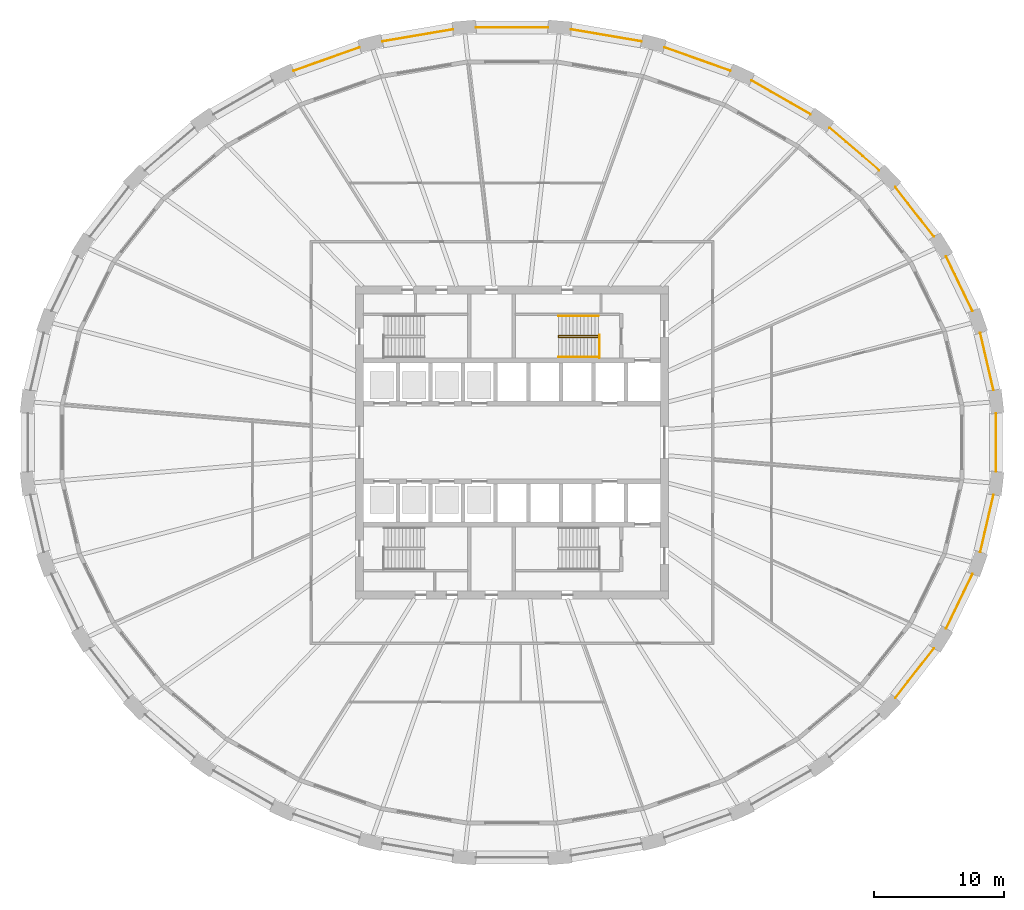
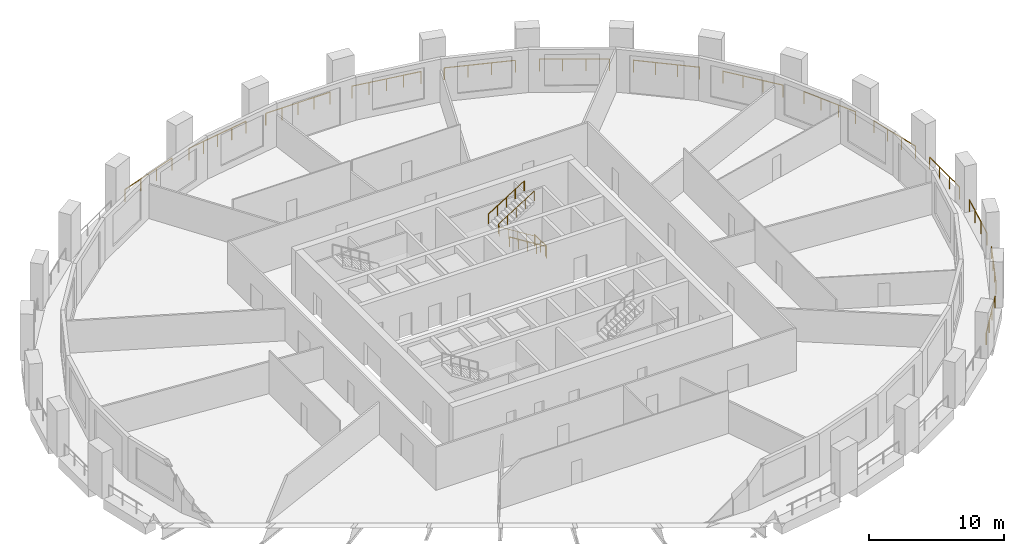
# One storey, part 9 of 10: 18 railings.
"""IFC4 building model written with IfcOpenShell, lengths in metres."""

from ifc_helpers import new_model, si_unit, direction, frame, origin, origin_2d, place, context, subcontext, project, spatial, circle, extrude, material, type_object, element, save


model = new_model("IFC4")

# Units and contexts
model_context = context("Model", 3, precision=1e-05, world=origin(), true_north=direction((0.0, 1.0)))
body_context = subcontext(model_context, "Body", "Model", "MODEL_VIEW")
ifc_project = project(units=[si_unit("LENGTHUNIT", "METRE"), si_unit("AREAUNIT", "SQUARE_METRE"), si_unit("VOLUMEUNIT", "CUBIC_METRE"), si_unit("PLANEANGLEUNIT", "RADIAN"), si_unit("MASSUNIT", "GRAM", prefix="KILO")], contexts=[model_context])

# Site, building, storey
site_placement = place(None, origin())
site = spatial("IfcSite", under=ifc_project, at=site_placement, CompositionType="ELEMENT")
building_placement = place(site_placement, origin())
building = spatial("IfcBuilding", under=site, at=building_placement, Name="Halqa Exchange Tower", CompositionType="ELEMENT")
storey_placement = place(building_placement, frame((0.0, 0.0, 48.699951171875)))
storey = spatial("IfcBuildingStorey", under=building, at=storey_placement, Name="L10", CompositionType="ELEMENT", Elevation=48.699951171875)

# Railings
ifc_material = material(Name="Stainless steel", Category="steel")
railing_type_1 = type_object("IfcRailingType", Name="Guard 1100 stainless steel", PredefinedType="GUARDRAIL", material=ifc_material)
railing_1_placement = place(storey_placement, frame((36.9326171875, 4.01171875, 0.0)))
element("IfcRailing", 1, at=railing_1_placement, inside=storey, type_object=railing_type_1, Name="Loggia guard 1", PredefinedType="GUARDRAIL", context=body_context, shape_type="SweptSolid", body=[
    extrude(circle(Radius=0.02392578125, at=origin_2d()), frame((0.0, 0.0, 1.076171875), z_axis=(-0.226056381748, 0.974114219315, 0.0), x_axis=(-0.974114219315, -0.226056381748, 0.0)), (0.0, 0.0, 1.0), 4.513427734375),
    extrude(circle(Radius=0.02099609375, at=origin_2d()), origin(), (0.0, 0.0, 1.0), 1.052001953125),
    extrude(circle(Radius=0.02099609375, at=origin_2d()), frame((-0.340087890625, 1.465576171875, 0.0)), (0.0, 0.0, 1.0), 1.052001953125),
    extrude(circle(Radius=0.02099609375, at=origin_2d()), frame((-0.68017578125, 2.930908203125, 0.0)), (0.0, 0.0, 1.0), 1.052001953125),
    extrude(circle(Radius=0.02099609375, at=origin_2d()), frame((-1.020263671875, 4.396484375, 0.0)), (0.0, 0.0, 1.0), 1.052001953125),
])
railing_2_placement = place(storey_placement, frame((35.3173828125, 10.09521484375, 0.0)))
element("IfcRailing", 2, at=railing_2_placement, inside=storey, type_object=railing_type_1, Name="Loggia guard 2", PredefinedType="GUARDRAIL", context=body_context, shape_type="SweptSolid", body=[
    extrude(circle(Radius=0.02392578125, at=origin_2d()), frame((0.0, 0.0, 1.076171875), z_axis=(-0.435096763468, 0.900383699552, 0.0), x_axis=(-0.900383699552, -0.435096763468, 0.0)), (0.0, 0.0, 1.0), 4.6337890625),
    extrude(circle(Radius=0.02099609375, at=origin_2d()), origin(), (0.0, 0.0, 1.0), 1.052001953125),
    extrude(circle(Radius=0.02099609375, at=origin_2d()), frame((-0.672119140625, 1.390625, 0.0)), (0.0, 0.0, 1.0), 1.052001953125),
    extrude(circle(Radius=0.02099609375, at=origin_2d()), frame((-1.343994140625, 2.781494140625, 0.0)), (0.0, 0.0, 1.0), 1.052001953125),
    extrude(circle(Radius=0.02099609375, at=origin_2d()), frame((-2.01611328125, 4.172119140625, 0.0)), (0.0, 0.0, 1.0), 1.052001953125),
])
railing_3_placement = place(storey_placement, frame((32.356201171875, 15.787353515625, 0.0)))
element("IfcRailing", 3, at=railing_3_placement, inside=storey, type_object=railing_type_1, Name="Loggia guard 3", PredefinedType="GUARDRAIL", context=body_context, shape_type="SweptSolid", body=[
    extrude(circle(Radius=0.02392578125, at=origin_2d()), frame((0.0, 0.0, 1.076171875), z_axis=(-0.61480458382, 0.788679480977, 0.0), x_axis=(-0.788679480977, -0.61480458382, 0.0)), (0.0, 0.0, 1.0), 4.810546875),
    extrude(circle(Radius=0.02099609375, at=origin_2d()), origin(), (0.0, 0.0, 1.0), 1.052001953125),
    extrude(circle(Radius=0.02099609375, at=origin_2d()), frame((-0.98583984375, 1.2646484375, 0.0)), (0.0, 0.0, 1.0), 1.052001953125),
    extrude(circle(Radius=0.02099609375, at=origin_2d()), frame((-1.9716796875, 2.529296875, 0.0)), (0.0, 0.0, 1.0), 1.052001953125),
    extrude(circle(Radius=0.02099609375, at=origin_2d()), frame((-2.95751953125, 3.7939453125, 0.0)), (0.0, 0.0, 1.0), 1.052001953125),
])
railing_4_placement = place(storey_placement, frame((28.162109375, 20.876708984375, 0.0)))
element("IfcRailing", 4, at=railing_4_placement, inside=storey, type_object=railing_type_1, Name="Loggia guard 4", PredefinedType="GUARDRAIL", context=body_context, shape_type="SweptSolid", body=[
    extrude(circle(Radius=0.02392578125, at=origin_2d()), frame((0.0, 0.0, 1.076171875), z_axis=(-0.759256602365, 0.650791373456, 0.0), x_axis=(-0.650791373456, -0.759256602365, 0.0)), (0.0, 0.0, 1.0), 5.0126953125),
    extrude(circle(Radius=0.02099609375, at=origin_2d()), origin(), (0.0, 0.0, 1.0), 1.052001953125),
    extrude(circle(Radius=0.02099609375, at=origin_2d()), frame((-1.2685546875, 1.08740234375, 0.0)), (0.0, 0.0, 1.0), 1.052001953125),
    extrude(circle(Radius=0.02099609375, at=origin_2d()), frame((-2.537353515625, 2.1748046875, 0.0)), (0.0, 0.0, 1.0), 1.052001953125),
    extrude(circle(Radius=0.02099609375, at=origin_2d()), frame((-3.805908203125, 3.26220703125, 0.0)), (0.0, 0.0, 1.0), 1.052001953125),
])
railing_5_placement = place(storey_placement, frame((22.891845703125, 25.172119140625, 0.0)))
element("IfcRailing", 5, at=railing_5_placement, inside=storey, type_object=railing_type_1, Name="Loggia guard 5", PredefinedType="GUARDRAIL", context=body_context, shape_type="SweptSolid", body=[
    extrude(circle(Radius=0.02392578125, at=origin_2d()), frame((0.0, 0.0, 1.076171875), z_axis=(-0.867758186628, 0.496986649258, 0.0), x_axis=(-0.496986649258, -0.867758186628, 0.0)), (0.0, 0.0, 1.0), 5.209228515625),
    extrude(circle(Radius=0.02099609375, at=origin_2d()), origin(), (0.0, 0.0, 1.0), 1.052001953125),
    extrude(circle(Radius=0.02099609375, at=origin_2d()), frame((-1.5068359375, 0.863037109375, 0.0)), (0.0, 0.0, 1.0), 1.052001953125),
    extrude(circle(Radius=0.02099609375, at=origin_2d()), frame((-3.013427734375, 1.725830078125, 0.0)), (0.0, 0.0, 1.0), 1.052001953125),
    extrude(circle(Radius=0.02099609375, at=origin_2d()), frame((-4.520263671875, 2.5888671875, 0.0)), (0.0, 0.0, 1.0), 1.052001953125),
])
railing_6_placement = place(storey_placement, frame((16.742431640625, 28.509521484375, 0.0)))
element("IfcRailing", 6, at=railing_6_placement, inside=storey, type_object=railing_type_1, Name="Loggia guard 6", PredefinedType="GUARDRAIL", context=body_context, shape_type="SweptSolid", body=[
    extrude(circle(Radius=0.02392578125, at=origin_2d()), frame((0.0, 0.0, 1.076171875), z_axis=(-0.942373671262, 0.334562197075, 0.0), x_axis=(-0.334562197075, -0.942373671262, 0.0)), (0.0, 0.0, 1.0), 5.37158203125),
    extrude(circle(Radius=0.02099609375, at=origin_2d()), origin(), (0.0, 0.0, 1.0), 1.052001953125),
    extrude(circle(Radius=0.02099609375, at=origin_2d()), frame((-1.687255859375, 0.59912109375, 0.0)), (0.0, 0.0, 1.0), 1.052001953125),
    extrude(circle(Radius=0.02099609375, at=origin_2d()), frame((-3.374755859375, 1.197998046875, 0.0)), (0.0, 0.0, 1.0), 1.052001953125),
    extrude(circle(Radius=0.02099609375, at=origin_2d()), frame((-5.06201171875, 1.797119140625, 0.0)), (0.0, 0.0, 1.0), 1.052001953125),
])
railing_7_placement = place(storey_placement, frame((9.945068359375, 30.759033203125, 0.0)))
element("IfcRailing", 7, at=railing_7_placement, inside=storey, type_object=railing_type_1, Name="Loggia guard 7", PredefinedType="GUARDRAIL", context=body_context, shape_type="SweptSolid", body=[
    extrude(circle(Radius=0.02392578125, at=origin_2d()), frame((0.0, 0.0, 1.076171875), z_axis=(-0.985776430596, 0.168061979284, 0.0), x_axis=(-0.168061979284, -0.985776430596, 0.0)), (0.0, 0.0, 1.0), 5.47802734375),
    extrude(circle(Radius=0.02099609375, at=origin_2d()), origin(), (0.0, 0.0, 1.0), 1.052001953125),
    extrude(circle(Radius=0.02099609375, at=origin_2d()), frame((-1.35009765625, 0.230224609375, 0.0)), (0.0, 0.0, 1.0), 1.052001953125),
    extrude(circle(Radius=0.02099609375, at=origin_2d()), frame((-2.7001953125, 0.46044921875, 0.0)), (0.0, 0.0, 1.0), 1.052001953125),
    extrude(circle(Radius=0.02099609375, at=origin_2d()), frame((-4.050048828125, 0.6904296875, 0.0)), (0.0, 0.0, 1.0), 1.052001953125),
    extrude(circle(Radius=0.02099609375, at=origin_2d()), frame((-5.400146484375, 0.920654296875, 0.0)), (0.0, 0.0, 1.0), 1.052001953125),
])
railing_8_placement = place(storey_placement, frame((2.757568359375, 31.8310546875, 0.0)))
element("IfcRailing", 8, at=railing_8_placement, inside=storey, type_object=railing_type_1, Name="Loggia guard 8", PredefinedType="GUARDRAIL", context=body_context, shape_type="SweptSolid", body=[
    extrude(circle(Radius=0.02392578125, at=origin_2d()), frame((0.0, 0.0, 1.076171875), z_axis=(-1.0, 0.0, 0.0), x_axis=(0.0, -1.0, 0.0)), (0.0, 0.0, 1.0), 5.51513671875),
    extrude(circle(Radius=0.02099609375, at=origin_2d()), origin(), (0.0, 0.0, 1.0), 1.052001953125),
    extrude(circle(Radius=0.02099609375, at=origin_2d()), frame((-1.37890625, 0.0, 0.0)), (0.0, 0.0, 1.0), 1.052001953125),
    extrude(circle(Radius=0.02099609375, at=origin_2d()), frame((-2.757568359375, 0.0, 0.0)), (0.0, 0.0, 1.0), 1.052001953125),
    extrude(circle(Radius=0.02099609375, at=origin_2d()), frame((-4.13623046875, 0.0, 0.0)), (0.0, 0.0, 1.0), 1.052001953125),
    extrude(circle(Radius=0.02099609375, at=origin_2d()), frame((-5.51513671875, 0.0, 0.0)), (0.0, 0.0, 1.0), 1.052001953125),
])
railing_9_placement = place(storey_placement, frame((-4.544921875, 31.6796875, 0.0)))
element("IfcRailing", 9, at=railing_9_placement, inside=storey, type_object=railing_type_1, Name="Loggia guard 9", PredefinedType="GUARDRAIL", context=body_context, shape_type="SweptSolid", body=[
    extrude(circle(Radius=0.02392578125, at=origin_2d()), frame((0.0, 0.0, 1.076171875), z_axis=(-0.985776430596, -0.168061979284, 0.0), x_axis=(0.168061979284, -0.985776430596, 0.0)), (0.0, 0.0, 1.0), 5.47802734375),
    extrude(circle(Radius=0.02099609375, at=origin_2d()), origin(), (0.0, 0.0, 1.0), 1.052001953125),
    extrude(circle(Radius=0.02099609375, at=origin_2d()), frame((-1.35009765625, -0.230224609375, 0.0)), (0.0, 0.0, 1.0), 1.052001953125),
    extrude(circle(Radius=0.02099609375, at=origin_2d()), frame((-2.7001953125, -0.46044921875, 0.0)), (0.0, 0.0, 1.0), 1.052001953125),
    extrude(circle(Radius=0.02099609375, at=origin_2d()), frame((-4.050048828125, -0.6904296875, 0.0)), (0.0, 0.0, 1.0), 1.052001953125),
    extrude(circle(Radius=0.02099609375, at=origin_2d()), frame((-5.400146484375, -0.920654296875, 0.0)), (0.0, 0.0, 1.0), 1.052001953125),
])
railing_10_placement = place(storey_placement, frame((-11.680419921875, 30.306640625, 0.0)))
element("IfcRailing", 10, at=railing_10_placement, inside=storey, type_object=railing_type_1, Name="Loggia guard 10", PredefinedType="GUARDRAIL", context=body_context, shape_type="SweptSolid", body=[
    extrude(circle(Radius=0.02392578125, at=origin_2d()), frame((0.0, 0.0, 1.076171875), z_axis=(-0.942373671262, -0.334562197075, 0.0), x_axis=(0.334562197075, -0.942373671262, 0.0)), (0.0, 0.0, 1.0), 5.37158203125),
    extrude(circle(Radius=0.02099609375, at=origin_2d()), origin(), (0.0, 0.0, 1.0), 1.052001953125),
    extrude(circle(Radius=0.02099609375, at=origin_2d()), frame((-1.687255859375, -0.59912109375, 0.0)), (0.0, 0.0, 1.0), 1.052001953125),
    extrude(circle(Radius=0.02099609375, at=origin_2d()), frame((-3.374755859375, -1.197998046875, 0.0)), (0.0, 0.0, 1.0), 1.052001953125),
    extrude(circle(Radius=0.02099609375, at=origin_2d()), frame((-5.06201171875, -1.797119140625, 0.0)), (0.0, 0.0, 1.0), 1.052001953125),
])
railing_11_placement = place(storey_placement, frame((29.398681640625, -19.581298828125, 0.0)))
element("IfcRailing", 11, at=railing_11_placement, inside=storey, type_object=railing_type_1, Name="Loggia guard 29", PredefinedType="GUARDRAIL", context=body_context, shape_type="SweptSolid", body=[
    extrude(circle(Radius=0.02392578125, at=origin_2d()), frame((0.0, 0.0, 1.076171875), z_axis=(0.61480458382, 0.788679480977, 0.0), x_axis=(-0.788679480977, 0.61480458382, 0.0)), (0.0, 0.0, 1.0), 4.810546875),
    extrude(circle(Radius=0.02099609375, at=origin_2d()), origin(), (0.0, 0.0, 1.0), 1.052001953125),
    extrude(circle(Radius=0.02099609375, at=origin_2d()), frame((0.98583984375, 1.2646484375, 0.0)), (0.0, 0.0, 1.0), 1.052001953125),
    extrude(circle(Radius=0.02099609375, at=origin_2d()), frame((1.9716796875, 2.529296875, 0.0)), (0.0, 0.0, 1.0), 1.052001953125),
    extrude(circle(Radius=0.02099609375, at=origin_2d()), frame((2.95751953125, 3.7939453125, 0.0)), (0.0, 0.0, 1.0), 1.052001953125),
])
railing_12_placement = place(storey_placement, frame((33.30126953125, -14.267333984375, 0.0)))
element("IfcRailing", 12, at=railing_12_placement, inside=storey, type_object=railing_type_1, Name="Loggia guard 30", PredefinedType="GUARDRAIL", context=body_context, shape_type="SweptSolid", body=[
    extrude(circle(Radius=0.02392578125, at=origin_2d()), frame((0.0, 0.0, 1.076171875), z_axis=(0.435096763468, 0.900383699552, 0.0), x_axis=(-0.900383699552, 0.435096763468, 0.0)), (0.0, 0.0, 1.0), 4.6337890625),
    extrude(circle(Radius=0.02099609375, at=origin_2d()), origin(), (0.0, 0.0, 1.0), 1.052001953125),
    extrude(circle(Radius=0.02099609375, at=origin_2d()), frame((0.672119140625, 1.390625, 0.0)), (0.0, 0.0, 1.0), 1.052001953125),
    extrude(circle(Radius=0.02099609375, at=origin_2d()), frame((1.343994140625, 2.781494140625, 0.0)), (0.0, 0.0, 1.0), 1.052001953125),
    extrude(circle(Radius=0.02099609375, at=origin_2d()), frame((2.01611328125, 4.172119140625, 0.0)), (0.0, 0.0, 1.0), 1.052001953125),
])
railing_13_placement = place(storey_placement, frame((35.912353515625, -8.408203125, 0.0)))
element("IfcRailing", 13, at=railing_13_placement, inside=storey, type_object=railing_type_1, Name="Loggia guard 31", PredefinedType="GUARDRAIL", context=body_context, shape_type="SweptSolid", body=[
    extrude(circle(Radius=0.02392578125, at=origin_2d()), frame((0.0, 0.0, 1.076171875), z_axis=(0.226056381748, 0.974114219315, 0.0), x_axis=(-0.974114219315, 0.226056381748, 0.0)), (0.0, 0.0, 1.0), 4.513427734375),
    extrude(circle(Radius=0.02099609375, at=origin_2d()), origin(), (0.0, 0.0, 1.0), 1.052001953125),
    extrude(circle(Radius=0.02099609375, at=origin_2d()), frame((0.340087890625, 1.465576171875, 0.0)), (0.0, 0.0, 1.0), 1.052001953125),
    extrude(circle(Radius=0.02099609375, at=origin_2d()), frame((0.68017578125, 2.930908203125, 0.0)), (0.0, 0.0, 1.0), 1.052001953125),
    extrude(circle(Radius=0.02099609375, at=origin_2d()), frame((1.020263671875, 4.396484375, 0.0)), (0.0, 0.0, 1.0), 1.052001953125),
])
railing_14_placement = place(storey_placement, frame((37.135986328125, -2.235107421875, 0.0)))
element("IfcRailing", 14, at=railing_14_placement, inside=storey, type_object=railing_type_1, Name="Loggia guard 32", PredefinedType="GUARDRAIL", context=body_context, shape_type="SweptSolid", body=[
    extrude(circle(Radius=0.02392578125, at=origin_2d()), frame((0.0, 0.0, 1.076171875), z_axis=(0.0, 1.0, 0.0), x_axis=(-1.0, 0.0, 0.0)), (0.0, 0.0, 1.0), 4.47021484375),
    extrude(circle(Radius=0.02099609375, at=origin_2d()), origin(), (0.0, 0.0, 1.0), 1.052001953125),
    extrude(circle(Radius=0.02099609375, at=origin_2d()), frame((0.0, 1.489990234375, 0.0)), (0.0, 0.0, 1.0), 1.052001953125),
    extrude(circle(Radius=0.02099609375, at=origin_2d()), frame((0.0, 2.980224609375, 0.0)), (0.0, 0.0, 1.0), 1.052001953125),
    extrude(circle(Radius=0.02099609375, at=origin_2d()), frame((0.0, 4.47021484375, 0.0)), (0.0, 0.0, 1.0), 1.052001953125),
])
railing_type_2 = type_object("IfcRailingType", Name="Stair handrail 900", PredefinedType="HANDRAIL", material=ifc_material)
railing_15_placement = place(storey_placement, frame((6.64990234375, 8.06005859375, 0.175048828125)))
element("IfcRailing", 15, at=railing_15_placement, inside=storey, type_object=railing_type_2, Name="Handrail ST2.1", PredefinedType="HANDRAIL", context=body_context, shape_type="SweptSolid", body=[
    extrude(circle(Radius=0.02392578125, at=origin_2d()), frame((0.0, 0.0, 0.8759765625), z_axis=(-0.847979421464, 0.0, 0.530029150871), x_axis=(0.0, -1.0, 0.0)), (0.0, 0.0, 1.0), 3.632080078125),
    extrude(circle(Radius=0.02392578125, at=origin_2d()), frame((-3.079833984375, 0.0, 2.80078125), z_axis=(0.0, 0.595870227118, 0.803080738428), x_axis=(-1.0, 0.0, 0.0)), (0.0, 0.0, 1.0), 0.218017578125),
    extrude(circle(Radius=0.02392578125, at=origin_2d()), frame((-3.079833984375, 0.1298828125, 2.97607421875), z_axis=(0.848009633417, 0.0, 0.529980812513), x_axis=(0.0, 1.0, 0.0)), (0.0, 0.0, 1.0), 3.6318359375),
    extrude(circle(Radius=0.02099609375, at=origin_2d()), origin(), (0.0, 0.0, 1.0), 0.851806640625),
    extrude(circle(Radius=0.02099609375, at=origin_2d()), frame((-0.77001953125, 0.0, 0.481201171875)), (0.0, 0.0, 1.0), 0.851806640625),
    extrude(circle(Radius=0.02099609375, at=origin_2d()), frame((-1.5400390625, 0.0, 0.96240234375)), (0.0, 0.0, 1.0), 0.851806640625),
    extrude(circle(Radius=0.02099609375, at=origin_2d()), frame((-2.309814453125, 0.0, 1.44384765625)), (0.0, 0.0, 1.0), 0.851806640625),
    extrude(circle(Radius=0.02099609375, at=origin_2d()), frame((-3.079833984375, 0.0, 1.925048828125)), (0.0, 0.0, 1.0), 0.851806640625),
    extrude(circle(Radius=0.02099609375, at=origin_2d()), frame((-3.079833984375, 0.1298828125, 2.10009765625)), (0.0, 0.0, 1.0), 0.851806640625),
    extrude(circle(Radius=0.02099609375, at=origin_2d()), frame((-2.309814453125, 0.1298828125, 2.581298828125)), (0.0, 0.0, 1.0), 0.851806640625),
    extrude(circle(Radius=0.02099609375, at=origin_2d()), frame((-1.5400390625, 0.1298828125, 3.0625)), (0.0, 0.0, 1.0), 0.851806640625),
    extrude(circle(Radius=0.02099609375, at=origin_2d()), frame((-0.77001953125, 0.1298828125, 3.543701171875)), (0.0, 0.0, 1.0), 0.851806640625),
    extrude(circle(Radius=0.02099609375, at=origin_2d()), frame((0.0, 0.1298828125, 4.02490234375)), (0.0, 0.0, 1.0), 0.851806640625),
])
railing_16_placement = place(storey_placement, frame((6.64990234375, 6.550048828125, 0.175048828125)))
element("IfcRailing", 16, at=railing_16_placement, inside=storey, type_object=railing_type_2, Name="Handrail ST2.2", PredefinedType="HANDRAIL", context=body_context, shape_type="SweptSolid", body=[
    extrude(circle(Radius=0.02392578125, at=origin_2d()), frame((0.0, 0.0, 0.8759765625), z_axis=(-0.847979421464, 0.0, 0.530029150871), x_axis=(0.0, -1.0, 0.0)), (0.0, 0.0, 1.0), 3.632080078125),
    extrude(circle(Radius=0.02099609375, at=origin_2d()), origin(), (0.0, 0.0, 1.0), 0.851806640625),
    extrude(circle(Radius=0.02099609375, at=origin_2d()), frame((-0.77001953125, 0.0, 0.481201171875)), (0.0, 0.0, 1.0), 0.851806640625),
    extrude(circle(Radius=0.02099609375, at=origin_2d()), frame((-1.5400390625, 0.0, 0.96240234375)), (0.0, 0.0, 1.0), 0.851806640625),
    extrude(circle(Radius=0.02099609375, at=origin_2d()), frame((-2.309814453125, 0.0, 1.44384765625)), (0.0, 0.0, 1.0), 0.851806640625),
    extrude(circle(Radius=0.02099609375, at=origin_2d()), frame((-3.079833984375, 0.0, 1.925048828125)), (0.0, 0.0, 1.0), 0.851806640625),
])
railing_17_placement = place(storey_placement, frame((3.570068359375, 9.699951171875, 2.275146484375)))
element("IfcRailing", 17, at=railing_17_placement, inside=storey, type_object=railing_type_2, Name="Handrail ST2.3", PredefinedType="HANDRAIL", context=body_context, shape_type="SweptSolid", body=[
    extrude(circle(Radius=0.02392578125, at=origin_2d()), frame((0.0, 0.0, 0.8759765625), z_axis=(0.848009633417, 0.0, 0.529980812513), x_axis=(0.0, 1.0, 0.0)), (0.0, 0.0, 1.0), 3.6318359375),
    extrude(circle(Radius=0.02099609375, at=origin_2d()), origin(), (0.0, 0.0, 1.0), 0.851806640625),
    extrude(circle(Radius=0.02099609375, at=origin_2d()), frame((0.77001953125, 0.0, 0.481201171875)), (0.0, 0.0, 1.0), 0.851806640625),
    extrude(circle(Radius=0.02099609375, at=origin_2d()), frame((1.5400390625, 0.0, 0.96240234375)), (0.0, 0.0, 1.0), 0.851806640625),
    extrude(circle(Radius=0.02099609375, at=origin_2d()), frame((2.309814453125, 0.0, 1.443603515625)), (0.0, 0.0, 1.0), 0.851806640625),
    extrude(circle(Radius=0.02099609375, at=origin_2d()), frame((3.079833984375, 0.0, 1.9248046875)), (0.0, 0.0, 1.0), 0.851806640625),
])
railing_type_3 = type_object("IfcRailingType", Name="Stair well guard 1100", PredefinedType="GUARDRAIL", material=ifc_material)
railing_18_placement = place(storey_placement, frame((6.699951171875, 6.5, 0.0)))
element("IfcRailing", 18, at=railing_18_placement, inside=storey, type_object=railing_type_3, Name="Guard ST2 well", PredefinedType="GUARDRAIL", context=body_context, shape_type="SweptSolid", body=[
    extrude(circle(Radius=0.02392578125, at=origin_2d()), frame((0.0, 0.0, 1.076171875), z_axis=(0.0, 1.0, 0.0), x_axis=(-1.0, 0.0, 0.0)), (0.0, 0.0, 1.0), 1.75),
    extrude(circle(Radius=0.02099609375, at=origin_2d()), origin(), (0.0, 0.0, 1.0), 1.052001953125),
    extrude(circle(Radius=0.02099609375, at=origin_2d()), frame((0.0, 0.875, 0.0)), (0.0, 0.0, 1.0), 1.052001953125),
    extrude(circle(Radius=0.02099609375, at=origin_2d()), frame((0.0, 1.75, 0.0)), (0.0, 0.0, 1.0), 1.052001953125),
])

save(model, "model.ifc")
